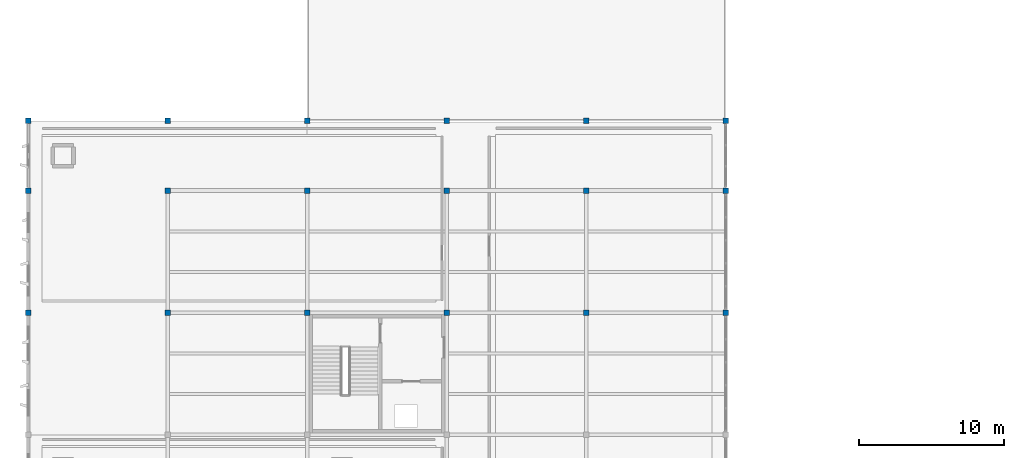
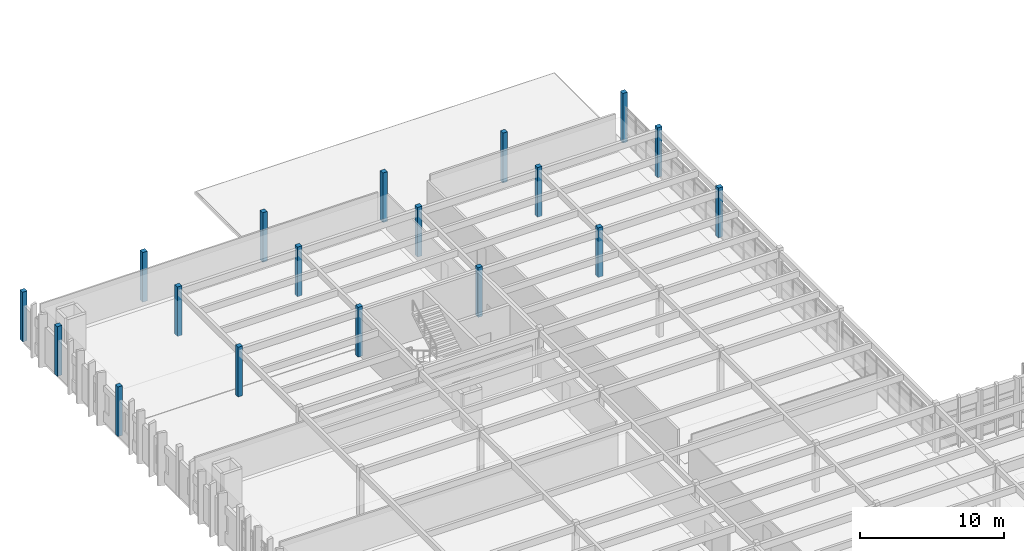
# One storey, part 3 of 61: 18 columns.
"""IFC4 building model written with IfcOpenShell, lengths in metres."""

from ifc_helpers import new_model, si_unit, direction, frame, origin, origin_2d, place, context, subcontext, project, spatial, rectangle, extrude, material, material_profile, profile_set, type_object, element, save


model = new_model("IFC4")

# Units and contexts
model_context = context("Model", 3, precision=1e-05, world=origin(), true_north=direction((0.0, 1.0)))
body_context = subcontext(model_context, "Body", "Model", "MODEL_VIEW")
ifc_project = project(units=[si_unit("LENGTHUNIT", "METRE"), si_unit("AREAUNIT", "SQUARE_METRE"), si_unit("VOLUMEUNIT", "CUBIC_METRE"), si_unit("PLANEANGLEUNIT", "RADIAN"), si_unit("MASSUNIT", "GRAM", prefix="KILO")], contexts=[model_context])

# Site, building, storey
site_placement = place(None, origin())
site = spatial("IfcSite", under=ifc_project, at=site_placement, CompositionType="ELEMENT")
building_placement = place(site_placement, origin())
building = spatial("IfcBuilding", under=site, at=building_placement, Name="Kolvemor Railside Polytechnic", CompositionType="ELEMENT")
storey_placement = place(building_placement, frame((0.0, 0.0, 10.199951171875)))
storey = spatial("IfcBuildingStorey", under=building, at=storey_placement, Name="L02", CompositionType="ELEMENT", Elevation=10.199951171875)

# Columns
ifc_material = material(Name="Glulam GL28h", Category="wood")
ifc_material_profile = material_profile(ifc_material, rectangle(XDim=0.364990234375, YDim=0.364990234375, at=origin_2d()), Name="GL365x365")
ifc_profile_set = profile_set([ifc_material_profile], Name="Glulam GL28h")
column_type = type_object("IfcColumnType", Name="COL-GL365", PredefinedType="COLUMN", material=ifc_profile_set)
for number, where, z_axis, x_axis, name in (
    (1, (0.0, 68.39990234375, 0.0), (0.0, 0.0, 1.0), (1.0, 0.0, 0.0), "Column L02-C007"),
    (2, (0.0, 76.800048828125, 0.0), (0.0, 0.0, 1.0), (1.0, 0.0, 0.0), "Column L02-C008"),
    (3, (0.0, 81.60009765625, 0.0), (0.0, 0.0, 1.0), (1.0, 0.0, 0.0), "Column L02-C009"),
    (4, (9.60009765625, 68.39990234375, 0.0), (0.0, 0.0, 1.0), (1.0, 0.0, 0.0), "Column L02-C016"),
    (5, (9.60009765625, 76.800048828125, 0.0), (0.0, 0.0, 1.0), (1.0, 0.0, 0.0), "Column L02-C017"),
    (6, (9.60009765625, 81.60009765625, 0.0), (0.0, 0.0, 1.0), (1.0, 0.0, 0.0), "Column L02-C018"),
    (7, (19.199951171875, 68.39990234375, 0.0), (0.0, 0.0, 1.0), (1.0, 0.0, 0.0), "Column L02-C025"),
    (8, (19.199951171875, 76.800048828125, 0.0), (0.0, 0.0, 1.0), (1.0, 0.0, 0.0), "Column L02-C026"),
    (9, (19.199951171875, 81.60009765625, 0.0), (0.0, 0.0, 1.0), (1.0, 0.0, 0.0), "Column L02-C027"),
    (10, (28.800048828125, 68.39990234375, 0.0), (0.0, 0.0, 1.0), (1.0, 0.0, 0.0), "Column L02-C034"),
    (11, (28.800048828125, 76.800048828125, 0.0), (0.0, 0.0, 1.0), (1.0, 0.0, 0.0), "Column L02-C035"),
    (12, (28.800048828125, 81.60009765625, 0.0), (0.0, 0.0, 1.0), (1.0, 0.0, 0.0), "Column L02-C036"),
    (13, (38.39990234375, 68.39990234375, 0.0), (0.0, 0.0, 1.0), (1.0, 0.0, 0.0), "Column L02-C043"),
    (14, (38.39990234375, 76.800048828125, 0.0), (0.0, 0.0, 1.0), (1.0, 0.0, 0.0), "Column L02-C044"),
    (15, (38.39990234375, 81.60009765625, 0.0), (0.0, 0.0, 1.0), (1.0, 0.0, 0.0), "Column L02-C045"),
    (16, (48.0, 68.39990234375, 0.0), (0.0, 0.0, 1.0), (1.0, 0.0, 0.0), "Column L02-C052"),
    (17, (48.0, 76.800048828125, 0.0), (0.0, 0.0, 1.0), (1.0, 0.0, 0.0), "Column L02-C053"),
    (18, (48.0, 81.60009765625, 0.0), (0.0, 0.0, 1.0), (1.0, 0.0, 0.0), "Column L02-C054"),
):
    element("IfcColumn", number, at=place(storey_placement, frame(where, z_axis=z_axis, x_axis=x_axis)), inside=storey, type_object=column_type, Name=name, PredefinedType="COLUMN", context=body_context, shape_type="SweptSolid", body=[
        extrude(rectangle(XDim=0.364990234375, YDim=0.364990234375, at=origin_2d()), origin(), (0.0, 0.0, 1.0), 4.199951171875),
    ])

save(model, "model.ifc")
